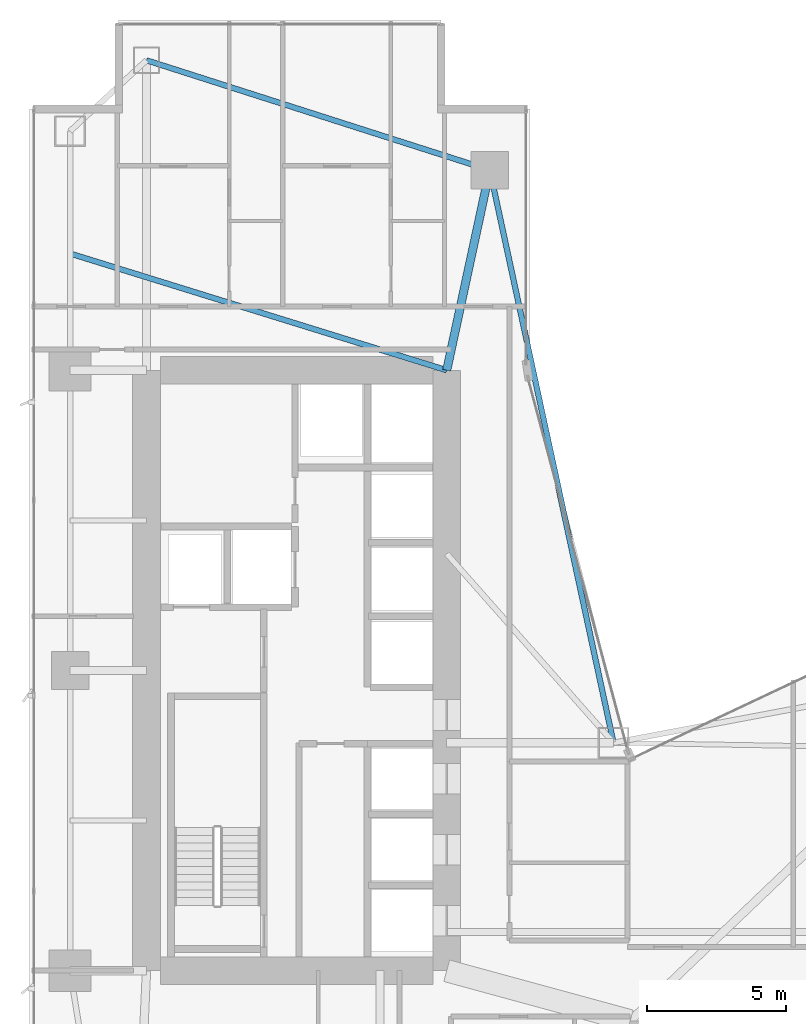
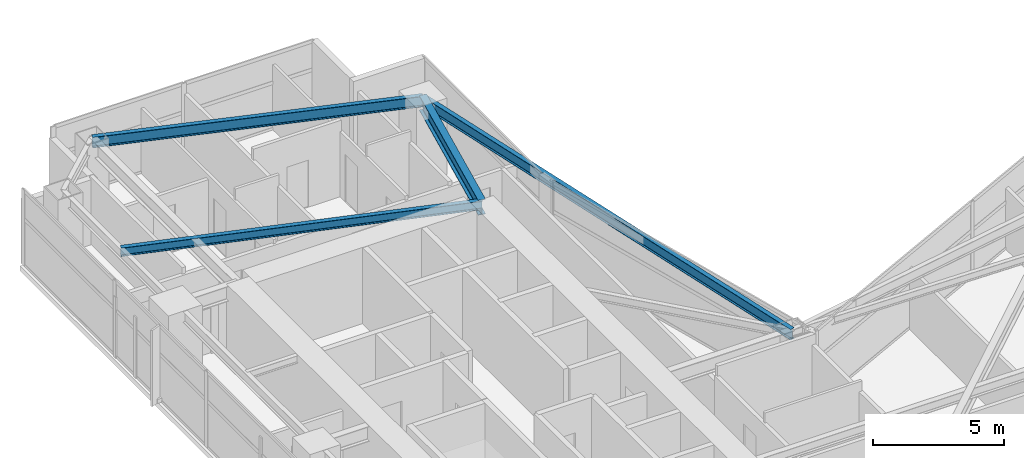
# One storey, part 17 of 29: 4 beams.
"""IFC4 building model written with IfcOpenShell, lengths in metres."""

from ifc_helpers import new_model, si_unit, direction, frame, origin, origin_2d, place, context, subcontext, project, spatial, i_section, extrude, material, material_profile, profile_set, type_object, element, save


model = new_model("IFC4")

# Units and contexts
model_context = context("Model", 3, precision=1e-05, world=origin(), true_north=direction((0.0, 1.0)))
body_context = subcontext(model_context, "Body", "Model", "MODEL_VIEW")
ifc_project = project(units=[si_unit("LENGTHUNIT", "METRE"), si_unit("AREAUNIT", "SQUARE_METRE"), si_unit("VOLUMEUNIT", "CUBIC_METRE"), si_unit("PLANEANGLEUNIT", "RADIAN"), si_unit("MASSUNIT", "GRAM", prefix="KILO")], contexts=[model_context])

# Site, building, storey
site_placement = place(None, origin())
site = spatial("IfcSite", under=ifc_project, at=site_placement, CompositionType="ELEMENT")
building_placement = place(site_placement, origin())
building = spatial("IfcBuilding", under=site, at=building_placement, Name="Calvorn Quay Hotel", CompositionType="ELEMENT")
storey_placement = place(building_placement, frame((0.0, 0.0, 58.39990234375)))
storey = spatial("IfcBuildingStorey", under=building, at=storey_placement, Name="L13", CompositionType="ELEMENT", Elevation=58.39990234375)

# Beams
ifc_material_1 = material(Name="Steel Q390GJC", Category="steel")
ifc_material_profile_1 = material_profile(ifc_material_1, i_section(OverallWidth=0.300048828125, OverallDepth=0.699951171875, WebThickness=0.012939453125, FlangeThickness=0.02392578125, FilletRadius=0.02392578125, at=origin_2d()), Name="HN700x300x13x24")
ifc_profile_set_1 = profile_set([ifc_material_profile_1], Name="Steel Q390GJC")
beam_type_1 = type_object("IfcBeamType", Name="BM-GIRD-MAIN", PredefinedType="BEAM", material=ifc_profile_set_1)
beam_1_placement = place(storey_placement, frame((16.550048828125, 45.60009765625, 3.190185546875), z_axis=(-0.210457140491, -0.97760308511, 0.0), x_axis=(0.97760308511, -0.210457140491, 0.0)))
element("IfcBeam", 1, at=beam_1_placement, inside=storey, type_object=beam_type_1, Name="Beam BG-L13-W6", PredefinedType="BEAM", context=body_context, shape_type="SweptSolid", body=[
    extrude(i_section(OverallWidth=0.300048828125, OverallDepth=0.699951171875, WebThickness=0.012939453125, FlangeThickness=0.02392578125, FilletRadius=0.02392578125, at=origin_2d()), origin(), (0.0, 0.0, 1.0), 7.365234375),
])
ifc_material_2 = material(Name="Steel Q355B", Category="steel")
ifc_material_profile_2 = material_profile(ifc_material_2, i_section(OverallWidth=0.199951171875, OverallDepth=0.39990234375, WebThickness=0.008056640625, FlangeThickness=0.012939453125, FilletRadius=0.01611328125, at=origin_2d()), Name="HN400x200x8x13")
ifc_profile_set_2 = profile_set([ifc_material_profile_2], Name="Steel Q355B")
beam_type_2 = type_object("IfcBeamType", Name="BM-JOIST-TYP", PredefinedType="JOIST", material=ifc_profile_set_2)
beam_2_placement = place(storey_placement, frame((1.449951171875, 42.60009765625, 3.340087890625), z_axis=(0.955163702122, -0.296078202759, 0.0), x_axis=(0.296078202759, 0.955163702122, 0.0)))
element("IfcBeam", 2, at=beam_2_placement, inside=storey, type_object=beam_type_2, Name="Beam BJ-L13-W2", PredefinedType="JOIST", context=body_context, shape_type="SweptSolid", body=[
    extrude(i_section(OverallWidth=0.199951171875, OverallDepth=0.39990234375, WebThickness=0.008056640625, FlangeThickness=0.012939453125, FilletRadius=0.01611328125, at=origin_2d()), origin(), (0.0, 0.0, 1.0), 14.18603515625),
])
ifc_material_3 = material(Name="Steel Q355B", Category="steel")
ifc_material_profile_3 = material_profile(ifc_material_3, i_section(OverallWidth=0.199951171875, OverallDepth=0.5, WebThickness=0.010009765625, FlangeThickness=0.01611328125, FilletRadius=0.01611328125, at=origin_2d()), Name="HN500x200x10x16")
ifc_profile_set_3 = profile_set([ifc_material_profile_3], Name="Steel Q355B")
beam_type_3 = type_object("IfcBeamType", Name="BM-SPANDREL-Z1", PredefinedType="SPANDREL", material=ifc_profile_set_3)
beam_3_placement = place(storey_placement, frame((4.199951171875, 49.550048828125, 3.2900390625), z_axis=(0.952470702374, -0.304630203885, 0.0), x_axis=(0.304630203885, 0.952470702374, 0.0)))
element("IfcBeam", 3, at=beam_3_placement, inside=storey, type_object=beam_type_3, Name="Beam BSP-L13-W6", PredefinedType="SPANDREL", context=body_context, shape_type="SweptSolid", body=[
    extrude(i_section(OverallWidth=0.199951171875, OverallDepth=0.5, WebThickness=0.010009765625, FlangeThickness=0.01611328125, FilletRadius=0.01611328125, at=origin_2d()), origin(), (0.0, 0.0, 1.0), 12.96630859375),
])
beam_4_placement = place(storey_placement, frame((16.550048828125, 45.60009765625, 3.2900390625), z_axis=(0.211145848376, -0.977454567084, 0.0), x_axis=(0.977454567084, 0.211145848376, 0.0)))
element("IfcBeam", 4, at=beam_4_placement, inside=storey, type_object=beam_type_3, Name="Beam BSP-L13-W7", PredefinedType="SPANDREL", context=body_context, shape_type="SweptSolid", body=[
    extrude(i_section(OverallWidth=0.199951171875, OverallDepth=0.5, WebThickness=0.010009765625, FlangeThickness=0.01611328125, FilletRadius=0.01611328125, at=origin_2d()), origin(), (0.0, 0.0, 1.0), 21.0751953125),
])

save(model, "model.ifc")
